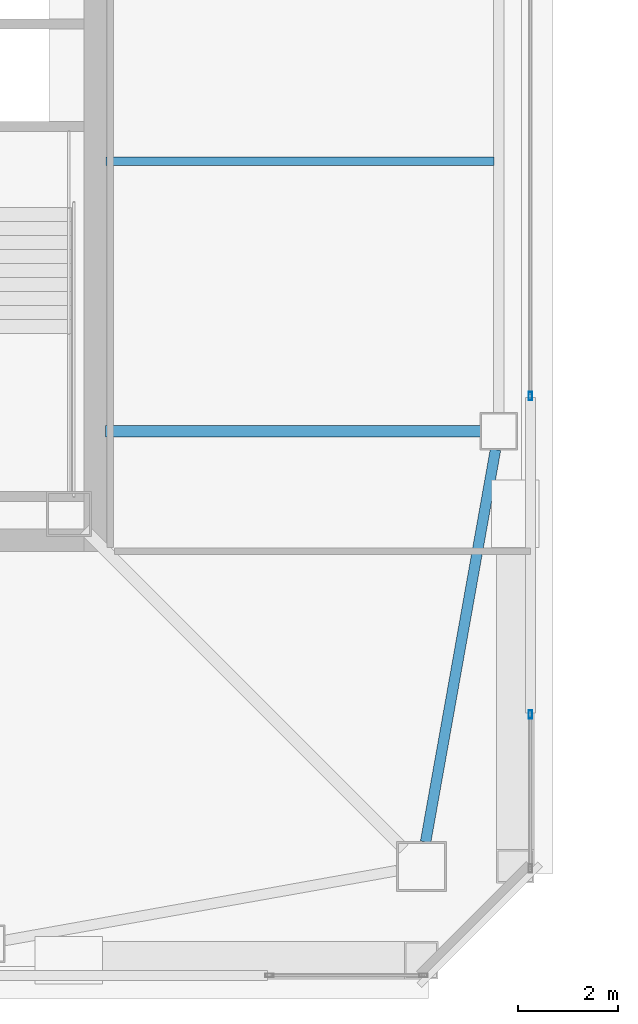
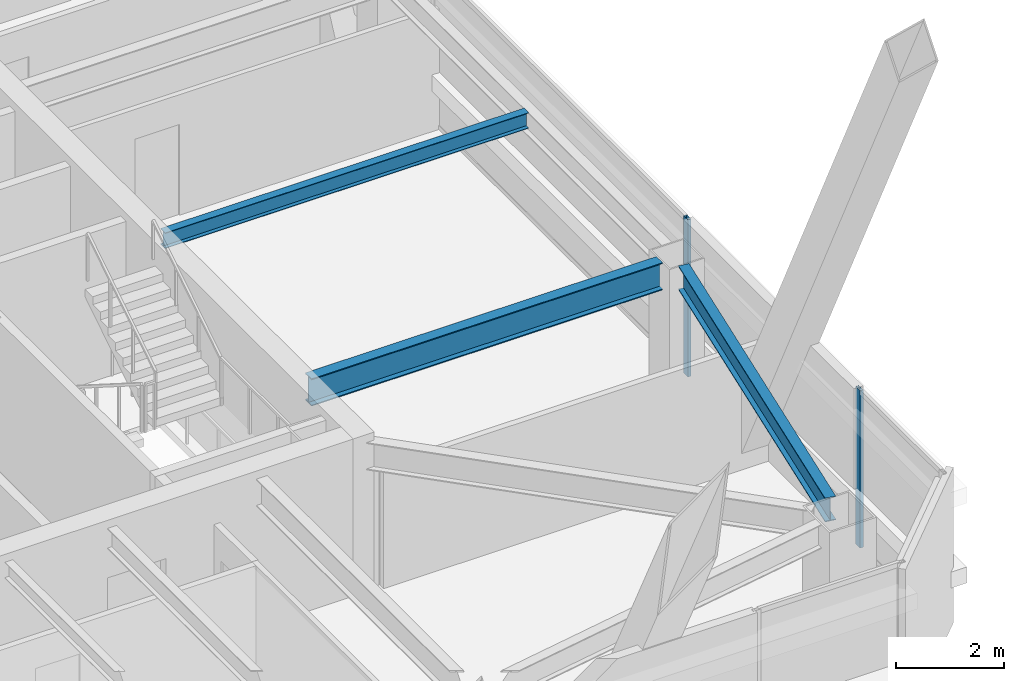
# One storey, part 15 of 56: 3 beams, 2 members, 2 elements without a shape of their own.
"""IFC4 building model written with IfcOpenShell, lengths in metres."""

from ifc_helpers import new_model, si_unit, direction, frame, origin, origin_2d, place, context, subcontext, project, spatial, hollow_rectangle, i_section, extrude, material, material_profile, profile_set, type_object, element, aggregate, save


model = new_model("IFC4")

# Units and contexts
model_context = context("Model", 3, precision=1e-05, world=origin(), true_north=direction((0.0, 1.0)))
body_context = subcontext(model_context, "Body", "Model", "MODEL_VIEW")
ifc_project = project(units=[si_unit("LENGTHUNIT", "METRE"), si_unit("AREAUNIT", "SQUARE_METRE"), si_unit("VOLUMEUNIT", "CUBIC_METRE"), si_unit("PLANEANGLEUNIT", "RADIAN"), si_unit("MASSUNIT", "GRAM", prefix="KILO")], contexts=[model_context])

# Site, building, storey
site_placement = place(None, origin())
site = spatial("IfcSite", under=ifc_project, at=site_placement, CompositionType="ELEMENT")
building_placement = place(site_placement, origin())
building = spatial("IfcBuilding", under=site, at=building_placement, Name="Tashvorn Skyway Center", CompositionType="ELEMENT")
storey_placement = place(building_placement, frame((0.0, 0.0, 218.39990234375)))
storey = spatial("IfcBuildingStorey", under=building, at=storey_placement, Name="L59", CompositionType="ELEMENT", Elevation=218.39990234375)

# Beams
ifc_material_1 = material(Name="Steel ASTM A992 Grade 50", Category="steel")
ifc_material_profile_1 = material_profile(ifc_material_1, i_section(OverallWidth=0.22998046875, OverallDepth=0.616943359375, WebThickness=0.01318359375, FlangeThickness=0.022216796875, at=origin_2d()), Name="W24X94")
ifc_profile_set_1 = profile_set([ifc_material_profile_1], Name="Steel ASTM A992 Grade 50")
beam_type_1 = type_object("IfcBeamType", Name="BM-BEAM-W24X94", PredefinedType="BEAM", material=ifc_profile_set_1)
beam_1_placement = place(storey_placement, frame((57.280029296875, 26.60009765625, 3.0615234375), z_axis=(-1.0, 0.0, 0.0), x_axis=(0.0, -1.0, 0.0)))
element("IfcBeam", 1, at=beam_1_placement, inside=storey, type_object=beam_type_1, Name="Tower 1 L59 Primary Floor Girder FC-E1", PredefinedType="BEAM", context=body_context, shape_type="SweptSolid", body=[
    extrude(i_section(OverallWidth=0.22998046875, OverallDepth=0.616943359375, WebThickness=0.01318359375, FlangeThickness=0.022216796875, at=origin_2d()), origin(), (0.0, 0.0, 1.0), 7.5),
])
ifc_material_profile_2 = material_profile(ifc_material_1, i_section(OverallWidth=0.1708984375, OverallDepth=0.35498046875, WebThickness=0.007080078125, FlangeThickness=0.01171875, at=origin_2d()), Name="W14X34")
ifc_profile_set_2 = profile_set([ifc_material_profile_2], Name="Steel ASTM A992 Grade 50")
beam_type_2 = type_object("IfcBeamType", Name="BM-JOIST-W14X34", PredefinedType="JOIST", material=ifc_profile_set_2)
beam_2_placement = place(storey_placement, frame((49.7900390625, 32.0, 3.192626953125), z_axis=(1.0, 0.0, 0.0), x_axis=(0.0, 1.0, 0.0)))
element("IfcBeam", 2, at=beam_2_placement, inside=storey, type_object=beam_type_2, Name="Tower 1 L59 Secondary Composite Joist JE", PredefinedType="JOIST", context=body_context, shape_type="SweptSolid", body=[
    extrude(i_section(OverallWidth=0.1708984375, OverallDepth=0.35498046875, WebThickness=0.007080078125, FlangeThickness=0.01171875, at=origin_2d()), origin(), (0.0, 0.0, 1.0), 7.762451171875),
])
ifc_material_profile_3 = material_profile(ifc_material_1, i_section(OverallWidth=0.2109375, OverallDepth=0.5390625, WebThickness=0.01171875, FlangeThickness=0.018798828125, at=origin_2d()), Name="W21X73")
ifc_profile_set_3 = profile_set([ifc_material_profile_3], Name="Steel ASTM A992 Grade 50")
beam_type_3 = type_object("IfcBeamType", Name="BM-SPANDREL-W21X73", PredefinedType="SPANDREL", material=ifc_profile_set_3)
beam_3_placement = place(storey_placement, frame((56.186767578125, 18.38720703125, 3.1005859375), z_axis=(0.17541329759, 0.984494883191, 0.0), x_axis=(-0.984494883191, 0.17541329759, 0.0)))
element("IfcBeam", 3, at=beam_3_placement, inside=storey, type_object=beam_type_3, Name="Tower 1 L59 Spandrel Beam 04", PredefinedType="SPANDREL", context=body_context, shape_type="SweptSolid", body=[
    extrude(i_section(OverallWidth=0.2109375, OverallDepth=0.5390625, WebThickness=0.01171875, FlangeThickness=0.018798828125, at=origin_2d()), origin(), (0.0, 0.0, 1.0), 7.97216796875),
])

# Curtain wall, member
ifc_material_2 = material(Name="Thermally broken bronze-anodized aluminium 6063-T6", Category="aluminium")
curtain_wall_type = type_object("IfcCurtainWallType", Name="CW-CW-Z5", PredefinedType="NOTDEFINED", material=ifc_material_2)
curtain_wall_1_placement = place(storey_placement, origin())
curtain_wall_1 = element("IfcCurtainWall", 4, at=curtain_wall_1_placement, inside=storey, type_object=curtain_wall_type, Name="Tower 1 L59 East Unitised Curtain Wall Glazing Group 2", PredefinedType="NOTDEFINED")
ifc_material_profile_4 = material_profile(ifc_material_2, hollow_rectangle(XDim=0.070068359375, YDim=0.1650390625, WallThickness=0.00390625, at=origin_2d()), Name="ALU-MULL-70x165")
ifc_profile_set_4 = profile_set([ifc_material_profile_4], Name="Thermally broken bronze-anodized aluminium 6063-T6")
member_type = type_object("IfcMemberType", Name="CWM-CW-Z5", PredefinedType="MULLION", material=ifc_profile_set_4)
member_1_placement = place(storey_placement, frame((58.280029296875, 27.308349609375, 0.0), z_axis=(0.0, 0.0, 1.0), x_axis=(1.0, 0.0, 0.0)))
member_1 = element("IfcMember", 5, at=member_1_placement, type_object=member_type, Name="CW-Z5 mullion 2", PredefinedType="MULLION", context=body_context, shape_type="SweptSolid", body=[
    extrude(hollow_rectangle(XDim=0.070068359375, YDim=0.1650390625, WallThickness=0.00390625, at=origin_2d()), origin(), (0.0, 0.0, 1.0), 3.550048828125),
])
aggregate(curtain_wall_1, [member_1])

curtain_wall_2_placement = place(storey_placement, origin())
curtain_wall_2 = element("IfcCurtainWall", 6, at=curtain_wall_2_placement, inside=storey, type_object=curtain_wall_type, Name="Tower 1 L59 East Unitised Curtain Wall Glazing Group 3", PredefinedType="NOTDEFINED")
member_2_placement = place(storey_placement, frame((58.280029296875, 20.93603515625, 0.0), z_axis=(0.0, 0.0, 1.0), x_axis=(1.0, 0.0, 0.0)))
member_2 = element("IfcMember", 7, at=member_2_placement, type_object=member_type, Name="CW-Z5 mullion 1", PredefinedType="MULLION", context=body_context, shape_type="SweptSolid", body=[
    extrude(hollow_rectangle(XDim=0.070068359375, YDim=0.1650390625, WallThickness=0.00390625, at=origin_2d()), origin(), (0.0, 0.0, 1.0), 3.550048828125),
])
aggregate(curtain_wall_2, [member_2])

save(model, "model.ifc")
